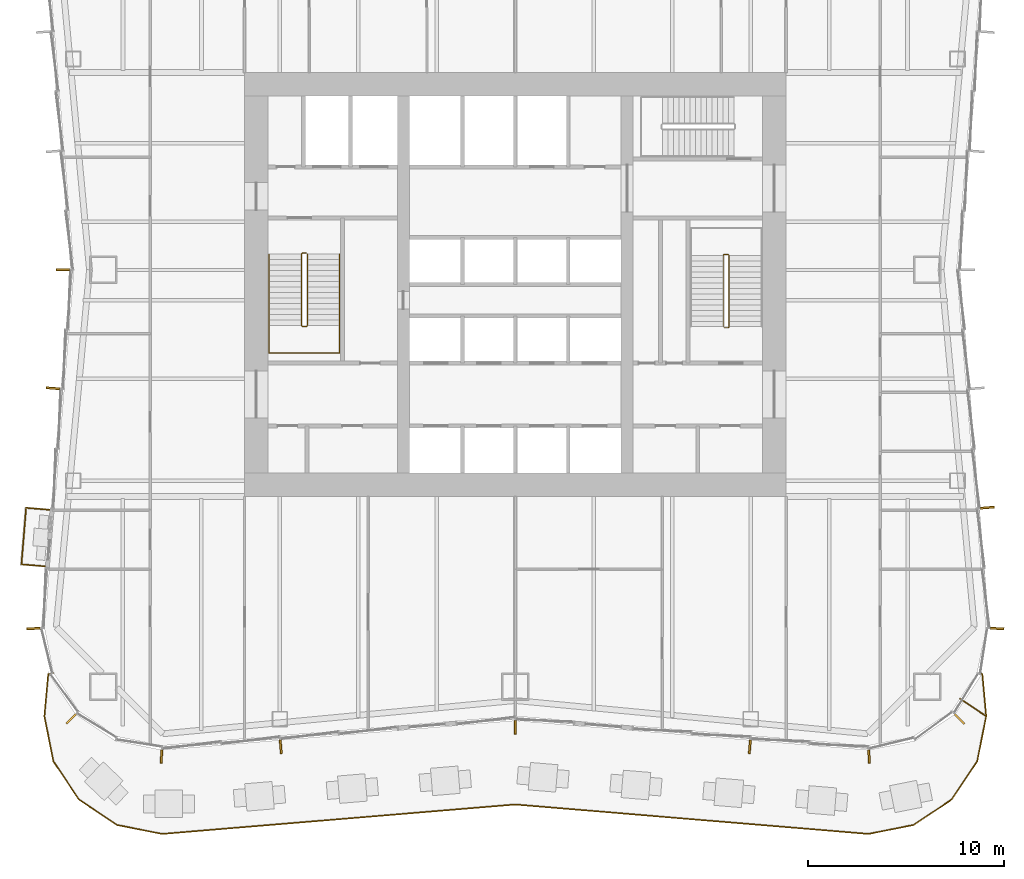
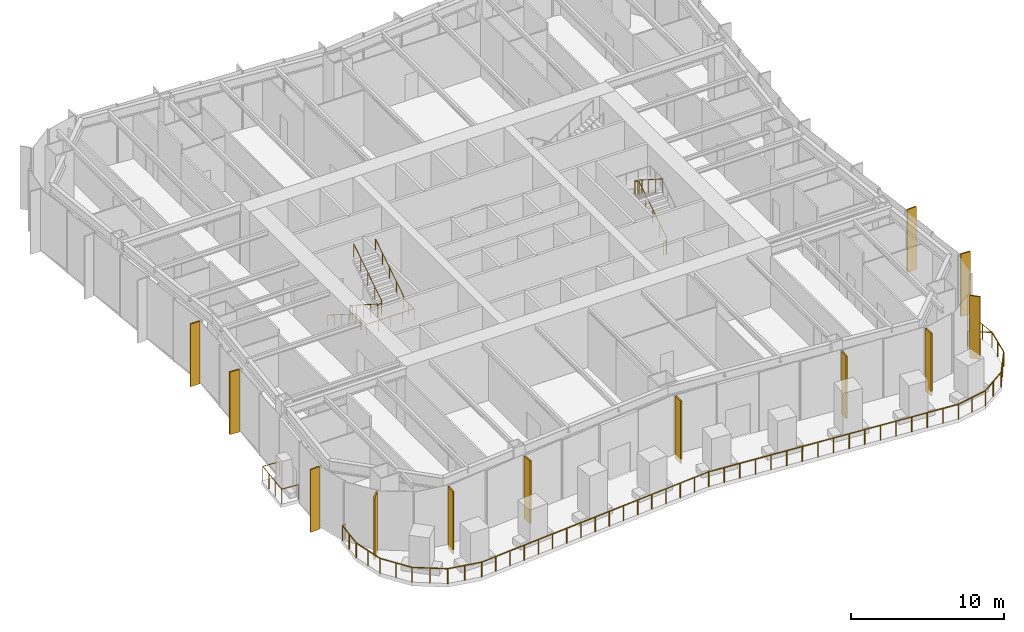
# One storey, part 13 of 15: 12 shading devices, 6 railings.
"""IFC4 building model written with IfcOpenShell, lengths in metres."""

from ifc_helpers import new_model, si_unit, direction, frame, origin, origin_2d, place, context, subcontext, project, spatial, rectangle, circle, extrude, material, layer, layer_set, type_object, element, save


model = new_model("IFC4")

# Units and contexts
model_context = context("Model", 3, precision=1e-05, world=origin(), true_north=direction((0.0, 1.0)))
body_context = subcontext(model_context, "Body", "Model", "MODEL_VIEW")
ifc_project = project(units=[si_unit("LENGTHUNIT", "METRE"), si_unit("AREAUNIT", "SQUARE_METRE"), si_unit("VOLUMEUNIT", "CUBIC_METRE"), si_unit("PLANEANGLEUNIT", "RADIAN"), si_unit("MASSUNIT", "GRAM", prefix="KILO")], contexts=[model_context])

# Site, building, storey
site_placement = place(None, origin())
site = spatial("IfcSite", under=ifc_project, at=site_placement, CompositionType="ELEMENT")
building_placement = place(site_placement, origin())
building = spatial("IfcBuilding", under=site, at=building_placement, Name="Verdant Reach Tower", CompositionType="ELEMENT")
storey_placement = place(building_placement, frame((0.0, 0.0, 65.0)))
storey = spatial("IfcBuildingStorey", under=building, at=storey_placement, Name="L14", CompositionType="ELEMENT", Elevation=65.0)

# Railings
ifc_material_1 = material(Name="Stainless steel", Category="steel")
railing_type_1 = type_object("IfcRailingType", Name="CO-GUARD", PredefinedType="GUARDRAIL", material=ifc_material_1)
railing_1_placement = place(storey_placement, frame((-10.64990234375, 29.60009765625, 0.0)))
element("IfcRailing", 1, at=railing_1_placement, inside=storey, type_object=railing_type_1, Name="L14 ST-1 stair guard 1", PredefinedType="GUARDRAIL", context=body_context, shape_type="SweptSolid", body=[
    extrude(circle(Radius=0.02392578125, at=origin_2d()), frame((0.0, 0.0, 1.076171875), z_axis=(-1.0, 0.0, 0.0), x_axis=(0.0, -1.0, 0.0)), (0.0, 0.0, 1.0), 0.2001953125),
    extrude(circle(Radius=0.02392578125, at=origin_2d()), frame((-0.2001953125, 0.0, 1.076171875), z_axis=(-0.25949872427, -0.26077077684, 0.929870428634), x_axis=(0.708833529934, -0.705375805398, 0.0)), (0.0, 0.0, 1.0), 0.19189453125),
    extrude(circle(Radius=0.02392578125, at=origin_2d()), frame((-0.25, -0.050048828125, 1.25439453125), z_axis=(0.0, -0.843127859045, 0.537713132908), x_axis=(1.0, 0.0, 0.0)), (0.0, 0.0, 1.0), 4.3173828125),
    extrude(circle(Radius=0.02392578125, at=origin_2d()), frame((-0.25, -3.690185546875, 3.576171875), z_axis=(0.707106781187, -0.707106781187, 0.0), x_axis=(0.707106781187, 0.707106781187, 0.0)), (0.0, 0.0, 1.0), 0.0703125),
    extrude(circle(Radius=0.02392578125, at=origin_2d()), frame((-0.2001953125, -3.739990234375, 3.576171875), z_axis=(1.0, 0.0, 0.0), x_axis=(0.0, 1.0, 0.0)), (0.0, 0.0, 1.0), 0.2001953125),
    extrude(circle(Radius=0.02392578125, at=origin_2d()), frame((0.0, -3.739990234375, 3.576171875), z_axis=(0.259584636361, 0.259584636361, 0.930178280294), x_axis=(-0.707106781187, 0.707106781187, 0.0)), (0.0, 0.0, 1.0), 0.19189453125),
    extrude(circle(Radius=0.02392578125, at=origin_2d()), frame((0.0498046875, -3.690185546875, 3.75439453125), z_axis=(0.0, 0.843127859045, 0.537713132908), x_axis=(-1.0, 0.0, 0.0)), (0.0, 0.0, 1.0), 4.3173828125),
    extrude(circle(Radius=0.02099609375, at=origin_2d()), origin(), (0.0, 0.0, 1.0), 1.052001953125),
    extrude(circle(Radius=0.02099609375, at=origin_2d()), frame((-0.2001953125, 0.0, 0.0)), (0.0, 0.0, 1.0), 1.052001953125),
    extrude(circle(Radius=0.02099609375, at=origin_2d()), frame((-0.25, -0.050048828125, 0.178466796875)), (0.0, 0.0, 1.0), 1.052001953125),
    extrude(circle(Radius=0.02099609375, at=origin_2d()), frame((-0.25, -0.9599609375, 0.7587890625)), (0.0, 0.0, 1.0), 1.052001953125),
    extrude(circle(Radius=0.02099609375, at=origin_2d()), frame((-0.25, -1.8701171875, 1.33935546875)), (0.0, 0.0, 1.0), 1.052001953125),
    extrude(circle(Radius=0.02099609375, at=origin_2d()), frame((-0.25, -2.7802734375, 1.919677734375)), (0.0, 0.0, 1.0), 1.052001953125),
    extrude(circle(Radius=0.02099609375, at=origin_2d()), frame((-0.25, -3.690185546875, 2.5)), (0.0, 0.0, 1.0), 1.052001953125),
    extrude(circle(Radius=0.02099609375, at=origin_2d()), frame((-0.2001953125, -3.739990234375, 2.5)), (0.0, 0.0, 1.0), 1.052001953125),
    extrude(circle(Radius=0.02099609375, at=origin_2d()), frame((0.0, -3.739990234375, 2.5)), (0.0, 0.0, 1.0), 1.052001953125),
    extrude(circle(Radius=0.02099609375, at=origin_2d()), frame((0.0498046875, -3.690185546875, 2.678466796875)), (0.0, 0.0, 1.0), 1.052001953125),
    extrude(circle(Radius=0.02099609375, at=origin_2d()), frame((0.0498046875, -2.7802734375, 3.2587890625)), (0.0, 0.0, 1.0), 1.052001953125),
    extrude(circle(Radius=0.02099609375, at=origin_2d()), frame((0.0498046875, -1.8701171875, 3.83935546875)), (0.0, 0.0, 1.0), 1.052001953125),
    extrude(circle(Radius=0.02099609375, at=origin_2d()), frame((0.0498046875, -0.9599609375, 4.419677734375)), (0.0, 0.0, 1.0), 1.052001953125),
    extrude(circle(Radius=0.02099609375, at=origin_2d()), frame((0.0498046875, -0.050048828125, 5.0)), (0.0, 0.0, 1.0), 1.052001953125),
])
railing_2_placement = place(storey_placement, frame((10.64990234375, 25.800048828125, 0.0)))
element("IfcRailing", 2, at=railing_2_placement, inside=storey, type_object=railing_type_1, Name="L14 ST-2 stair guard 1", PredefinedType="GUARDRAIL", context=body_context, shape_type="SweptSolid", body=[
    extrude(circle(Radius=0.02392578125, at=origin_2d()), frame((0.0, 0.0, 1.076171875), z_axis=(1.0, 0.0, 0.0), x_axis=(0.0, 1.0, 0.0)), (0.0, 0.0, 1.0), 0.2001953125),
    extrude(circle(Radius=0.02392578125, at=origin_2d()), frame((0.2001953125, 0.0, 1.076171875), z_axis=(0.25949872427, 0.26077077684, 0.929870428634), x_axis=(-0.708833529934, 0.705375805398, 0.0)), (0.0, 0.0, 1.0), 0.19189453125),
    extrude(circle(Radius=0.02392578125, at=origin_2d()), frame((0.25, 0.050048828125, 1.25439453125), z_axis=(0.0, 0.843111507901, 0.53773877045), x_axis=(-1.0, 0.0, 0.0)), (0.0, 0.0, 1.0), 4.317138671875),
    extrude(circle(Radius=0.02392578125, at=origin_2d()), frame((0.25, 3.68994140625, 3.576171875), z_axis=(-0.705375805398, 0.708833529934, 0.0), x_axis=(-0.708833529934, -0.705375805398, 0.0)), (0.0, 0.0, 1.0), 0.070556640625),
    extrude(circle(Radius=0.02392578125, at=origin_2d()), frame((0.2001953125, 3.739990234375, 3.576171875), z_axis=(-1.0, 0.0, 0.0), x_axis=(0.0, -1.0, 0.0)), (0.0, 0.0, 1.0), 0.2001953125),
    extrude(circle(Radius=0.02392578125, at=origin_2d()), frame((0.0, 3.739990234375, 3.576171875), z_axis=(-0.25949872427, -0.26077077684, 0.929870428634), x_axis=(0.708833529934, -0.705375805398, 0.0)), (0.0, 0.0, 1.0), 0.19189453125),
    extrude(circle(Radius=0.02392578125, at=origin_2d()), frame((-0.0498046875, 3.68994140625, 3.75439453125), z_axis=(0.0, -0.843111507901, 0.53773877045), x_axis=(1.0, 0.0, 0.0)), (0.0, 0.0, 1.0), 4.317138671875),
    extrude(circle(Radius=0.02099609375, at=origin_2d()), origin(), (0.0, 0.0, 1.0), 1.052001953125),
    extrude(circle(Radius=0.02099609375, at=origin_2d()), frame((0.2001953125, 0.0, 0.0)), (0.0, 0.0, 1.0), 1.052001953125),
    extrude(circle(Radius=0.02099609375, at=origin_2d()), frame((0.25, 0.050048828125, 0.178466796875)), (0.0, 0.0, 1.0), 1.052001953125),
    extrude(circle(Radius=0.02099609375, at=origin_2d()), frame((0.25, 0.9599609375, 0.7587890625)), (0.0, 0.0, 1.0), 1.052001953125),
    extrude(circle(Radius=0.02099609375, at=origin_2d()), frame((0.25, 1.8701171875, 1.33935546875)), (0.0, 0.0, 1.0), 1.052001953125),
    extrude(circle(Radius=0.02099609375, at=origin_2d()), frame((0.25, 2.780029296875, 1.919677734375)), (0.0, 0.0, 1.0), 1.052001953125),
    extrude(circle(Radius=0.02099609375, at=origin_2d()), frame((0.25, 3.68994140625, 2.5)), (0.0, 0.0, 1.0), 1.052001953125),
    extrude(circle(Radius=0.02099609375, at=origin_2d()), frame((0.2001953125, 3.739990234375, 2.5)), (0.0, 0.0, 1.0), 1.052001953125),
    extrude(circle(Radius=0.02099609375, at=origin_2d()), frame((0.0, 3.739990234375, 2.5)), (0.0, 0.0, 1.0), 1.052001953125),
    extrude(circle(Radius=0.02099609375, at=origin_2d()), frame((-0.0498046875, 3.68994140625, 2.678466796875)), (0.0, 0.0, 1.0), 1.052001953125),
    extrude(circle(Radius=0.02099609375, at=origin_2d()), frame((-0.0498046875, 2.780029296875, 3.2587890625)), (0.0, 0.0, 1.0), 1.052001953125),
    extrude(circle(Radius=0.02099609375, at=origin_2d()), frame((-0.0498046875, 1.8701171875, 3.83935546875)), (0.0, 0.0, 1.0), 1.052001953125),
    extrude(circle(Radius=0.02099609375, at=origin_2d()), frame((-0.0498046875, 0.9599609375, 4.419677734375)), (0.0, 0.0, 1.0), 1.052001953125),
    extrude(circle(Radius=0.02099609375, at=origin_2d()), frame((-0.0498046875, 0.050048828125, 5.0)), (0.0, 0.0, 1.0), 1.052001953125),
])
railing_type_2 = type_object("IfcRailingType", Name="CO-HANDRAIL", PredefinedType="HANDRAIL", material=ifc_material_1)
railing_3_placement = place(storey_placement, frame((-12.550048828125, 29.550048828125, 0.178466796875)))
element("IfcRailing", 3, at=railing_3_placement, inside=storey, type_object=railing_type_2, Name="L14 ST-1 stair handrail 1", PredefinedType="HANDRAIL", context=body_context, shape_type="SweptSolid", body=[
    extrude(circle(Radius=0.02392578125, at=origin_2d()), frame((0.0, 0.0, 0.8759765625), z_axis=(0.0, -0.843127859045, 0.537713132908), x_axis=(1.0, 0.0, 0.0)), (0.0, 0.0, 1.0), 4.3173828125),
    extrude(circle(Radius=0.02392578125, at=origin_2d()), frame((0.0, -3.64013671875, 3.197265625), z_axis=(0.0, -1.0, 0.0), x_axis=(1.0, 0.0, 0.0)), (0.0, 0.0, 1.0), 1.39990234375),
    extrude(circle(Radius=0.02392578125, at=origin_2d()), frame((0.0, -5.0400390625, 3.197265625), z_axis=(1.0, 0.0, 0.0), x_axis=(0.0, 1.0, 0.0)), (0.0, 0.0, 1.0), 3.60009765625),
    extrude(circle(Radius=0.02392578125, at=origin_2d()), frame((3.60009765625, -5.0400390625, 3.197265625), z_axis=(0.0, 1.0, 0.0), x_axis=(-1.0, 0.0, 0.0)), (0.0, 0.0, 1.0), 1.39990234375),
    extrude(circle(Radius=0.02392578125, at=origin_2d()), frame((3.60009765625, -3.64013671875, 3.197265625), z_axis=(0.0, 0.0, 1.0), x_axis=(1.0, 0.0, 0.0)), (0.0, 0.0, 1.0), 0.178466796875),
    extrude(circle(Radius=0.02392578125, at=origin_2d()), frame((3.60009765625, -3.64013671875, 3.3759765625), z_axis=(0.0, 0.843127859045, 0.537713132908), x_axis=(-1.0, 0.0, 0.0)), (0.0, 0.0, 1.0), 4.3173828125),
    extrude(circle(Radius=0.02099609375, at=origin_2d()), origin(), (0.0, 0.0, 1.0), 0.851806640625),
    extrude(circle(Radius=0.02099609375, at=origin_2d()), frame((0.0, -0.91015625, 0.580322265625)), (0.0, 0.0, 1.0), 0.851806640625),
    extrude(circle(Radius=0.02099609375, at=origin_2d()), frame((0.0, -1.820068359375, 1.16064453125)), (0.0, 0.0, 1.0), 0.851806640625),
    extrude(circle(Radius=0.02099609375, at=origin_2d()), frame((0.0, -2.72998046875, 1.7412109375)), (0.0, 0.0, 1.0), 0.851806640625),
    extrude(circle(Radius=0.02099609375, at=origin_2d()), frame((0.0, -3.64013671875, 2.321533203125)), (0.0, 0.0, 1.0), 0.851806640625),
    extrude(circle(Radius=0.02099609375, at=origin_2d()), frame((0.0, -4.340087890625, 2.321533203125)), (0.0, 0.0, 1.0), 0.851806640625),
    extrude(circle(Radius=0.02099609375, at=origin_2d()), frame((0.0, -5.0400390625, 2.321533203125)), (0.0, 0.0, 1.0), 0.851806640625),
    extrude(circle(Radius=0.02099609375, at=origin_2d()), frame((0.89990234375, -5.0400390625, 2.321533203125)), (0.0, 0.0, 1.0), 0.851806640625),
    extrude(circle(Radius=0.02099609375, at=origin_2d()), frame((1.800048828125, -5.0400390625, 2.321533203125)), (0.0, 0.0, 1.0), 0.851806640625),
    extrude(circle(Radius=0.02099609375, at=origin_2d()), frame((2.7001953125, -5.0400390625, 2.321533203125)), (0.0, 0.0, 1.0), 0.851806640625),
    extrude(circle(Radius=0.02099609375, at=origin_2d()), frame((3.60009765625, -5.0400390625, 2.321533203125)), (0.0, 0.0, 1.0), 0.851806640625),
    extrude(circle(Radius=0.02099609375, at=origin_2d()), frame((3.60009765625, -4.340087890625, 2.321533203125)), (0.0, 0.0, 1.0), 0.851806640625),
    extrude(circle(Radius=0.02099609375, at=origin_2d()), frame((3.60009765625, -3.64013671875, 2.321533203125)), (0.0, 0.0, 1.0), 0.851806640625),
    extrude(circle(Radius=0.02099609375, at=origin_2d()), frame((3.60009765625, -3.64013671875, 2.5)), (0.0, 0.0, 1.0), 0.851806640625),
    extrude(circle(Radius=0.02099609375, at=origin_2d()), frame((3.60009765625, -2.72998046875, 3.080322265625)), (0.0, 0.0, 1.0), 0.851806640625),
    extrude(circle(Radius=0.02099609375, at=origin_2d()), frame((3.60009765625, -1.820068359375, 3.66064453125)), (0.0, 0.0, 1.0), 0.851806640625),
    extrude(circle(Radius=0.02099609375, at=origin_2d()), frame((3.60009765625, -0.91015625, 4.2412109375)), (0.0, 0.0, 1.0), 0.851806640625),
    extrude(circle(Radius=0.02099609375, at=origin_2d()), frame((3.60009765625, 0.0, 4.821533203125)), (0.0, 0.0, 1.0), 0.851806640625),
])

# Shading devices
ifc_material_2 = material(Name="Bronze fin, champagne", Category="aluminium")
ifc_layer_1 = layer(ifc_material_2, 0.10009765625)
ifc_layer_set_1 = layer_set([ifc_layer_1], Name="EN-FIN CHAMPAGNE")
shading_device_type_1 = type_object("IfcShadingDeviceType", Name="EN-FIN CHAMPAGNE", PredefinedType="USERDEFINED", material=ifc_layer_set_1)
for number, where, z_axis, x_axis, name in (
    (4, (18.031494140625, 3.94482421875, -0.35009765625), (0.0, 0.0, 1.0), (0.998398681387, 0.056569187765, 0.0), "Fin south-east corner 1, L14"),
    (5, (-22.6357421875, 5.8642578125, -0.35009765625), (0.0, 0.0, 1.0), (0.707106781187, -0.707106781187, 0.0), "Fin south-west corner 3, L14"),
    (6, (-18.031494140625, 3.94482421875, -0.35009765625), (0.0, 0.0, 1.0), (0.998398681387, -0.056569187765, 0.0), "Fin south face part 1 1, L14"),
):
    element("IfcShadingDevice", number, at=place(storey_placement, frame(where, z_axis=z_axis, x_axis=x_axis)), inside=storey, type_object=shading_device_type_1, Name=name, ObjectType="FIN", PredefinedType="USERDEFINED", context=body_context, shape_type="SweptSolid", body=[
        extrude(rectangle(XDim=0.10009765625, YDim=0.699951171875, at=origin_2d()), origin(), (0.0, 0.0, 1.0), 5.0),
    ])
ifc_material_3 = material(Name="Bronze fin, copper", Category="aluminium")
ifc_layer_2 = layer(ifc_material_3, 0.10009765625)
ifc_layer_set_2 = layer_set([ifc_layer_2], Name="EN-FIN COPPER")
shading_device_type_2 = type_object("IfcShadingDeviceType", Name="EN-FIN COPPER", PredefinedType="USERDEFINED", material=ifc_layer_set_2)
for number, where, z_axis, x_axis, name in (
    (7, (22.6357421875, 5.8642578125, -0.35009765625), (0.0, 0.0, 1.0), (0.707106781187, 0.707106781187, 0.0), "Fin south-east corner 3, L14"),
    (8, (24.55517578125, 10.46826171875, -0.35009765625), (0.0, 0.0, 1.0), (0.057135164055, 0.998366452275, 0.0), "Fin east face part 1 1, L14"),
    (9, (24.05419921875, 16.62890625, -0.35009765625), (0.0, 0.0, 1.0), (-0.081915556724, 0.996639273542, 0.0), "Fin east face part 1 3, L14"),
    (10, (-23.055908203125, 28.75, -0.35009765625), (0.0, 0.0, 1.0), (0.0, -1.0, 0.0), "Fin west face part 2 1, L14"),
    (11, (-11.953857421875, 4.44580078125, -0.35009765625), (0.0, 0.0, 1.0), (0.996545758244, 0.083045479859, 0.0), "Fin south face part 1 3, L14"),
    (12, (11.953857421875, 4.44580078125, -0.35009765625), (0.0, 0.0, 1.0), (0.996545758244, -0.083045479859, 0.0), "Fin south face part 2 5, L14"),
):
    element("IfcShadingDevice", number, at=place(storey_placement, frame(where, z_axis=z_axis, x_axis=x_axis)), inside=storey, type_object=shading_device_type_2, Name=name, ObjectType="FIN", PredefinedType="USERDEFINED", context=body_context, shape_type="SweptSolid", body=[
        extrude(rectangle(XDim=0.10009765625, YDim=0.699951171875, at=origin_2d()), origin(), (0.0, 0.0, 1.0), 5.0),
    ])
ifc_material_4 = material(Name="Bronze fin, dark bronze", Category="aluminium")
ifc_layer_3 = layer(ifc_material_4, 0.10009765625)
ifc_layer_set_3 = layer_set([ifc_layer_3], Name="EN-FIN DARK")
shading_device_type_3 = type_object("IfcShadingDeviceType", Name="EN-FIN DARK", PredefinedType="USERDEFINED", material=ifc_layer_set_3)
for number, where, z_axis, x_axis, name in (
    (13, (-23.55419921875, 22.712158203125, -0.35009765625), (0.0, 0.0, 1.0), (-0.081915556724, -0.996639273542, 0.0), "Fin west face part 2 3, L14"),
    (14, (-24.55517578125, 10.46826171875, -0.35009765625), (0.0, 0.0, 1.0), (0.057135164055, -0.998366452275, 0.0), "Fin south-west corner 1, L14"),
    (15, (0.0, 5.444091796875, -0.35009765625), (0.0, 0.0, 1.0), (1.0, 0.0, 0.0), "Fin south face part 2 1, L14"),
):
    element("IfcShadingDevice", number, at=place(storey_placement, frame(where, z_axis=z_axis, x_axis=x_axis)), inside=storey, type_object=shading_device_type_3, Name=name, ObjectType="FIN", PredefinedType="USERDEFINED", context=body_context, shape_type="SweptSolid", body=[
        extrude(rectangle(XDim=0.10009765625, YDim=0.699951171875, at=origin_2d()), origin(), (0.0, 0.0, 1.0), 5.0),
    ])

# Railings
ifc_material_5 = material(Name="Stainless steel and laminated glass balustrade", Category="steel")
railing_type_3 = type_object("IfcRailingType", Name="EN-RAILING BALCONY", PredefinedType="GUARDRAIL", material=ifc_material_5)
railing_4_placement = place(storey_placement, frame((-23.741943359375, 16.52197265625, 0.0)))
element("IfcRailing", 16, at=railing_4_placement, inside=storey, type_object=railing_type_3, Name="Balcony guard 1, L14", PredefinedType="GUARDRAIL", context=body_context, shape_type="SweptSolid", body=[
    extrude(circle(Radius=0.02490234375, at=origin_2d()), frame((0.0, 0.0, 1.1748046875), z_axis=(-0.996649328179, 0.081793133211, 0.0), x_axis=(-0.081793133211, -0.996649328179, 0.0)), (0.0, 0.0, 1.0), 1.19384765625),
    extrude(circle(Radius=0.02490234375, at=origin_2d()), frame((-1.18994140625, 0.09765625, 1.1748046875), z_axis=(-0.081863827639, -0.996643523896, 0.0), x_axis=(0.996643523896, -0.081863827639, 0.0)), (0.0, 0.0, 1.0), 2.889892578125),
    extrude(circle(Radius=0.02490234375, at=origin_2d()), frame((-1.426513671875, -2.782470703125, 1.1748046875), z_axis=(0.996649328179, -0.081793133211, 0.0), x_axis=(0.081793133211, 0.996649328179, 0.0)), (0.0, 0.0, 1.0), 1.19384765625),
    extrude(circle(Radius=0.02490234375, at=origin_2d()), origin(), (0.0, 0.0, 1.0), 1.14990234375),
    extrude(circle(Radius=0.02490234375, at=origin_2d()), frame((-1.18994140625, 0.09765625, 0.0)), (0.0, 0.0, 1.0), 1.14990234375),
    extrude(circle(Radius=0.02490234375, at=origin_2d()), frame((-1.268798828125, -0.8623046875, 0.0)), (0.0, 0.0, 1.0), 1.14990234375),
    extrude(circle(Radius=0.02490234375, at=origin_2d()), frame((-1.34765625, -1.822509765625, 0.0)), (0.0, 0.0, 1.0), 1.14990234375),
    extrude(circle(Radius=0.02490234375, at=origin_2d()), frame((-1.426513671875, -2.782470703125, 0.0)), (0.0, 0.0, 1.0), 1.14990234375),
    extrude(circle(Radius=0.02490234375, at=origin_2d()), frame((-0.236572265625, -2.880126953125, 0.0)), (0.0, 0.0, 1.0), 1.14990234375),
])
railing_type_4 = type_object("IfcRailingType", Name="EN-RAILING TERRACE", PredefinedType="GUARDRAIL", material=ifc_material_5)
railing_5_placement = place(storey_placement, frame((22.666259765625, 6.891357421875, 0.0)))
element("IfcRailing", 17, at=railing_5_placement, inside=storey, type_object=railing_type_4, Name="Terrace guard 1, L14", PredefinedType="GUARDRAIL", context=body_context, shape_type="SweptSolid", body=[
    extrude(circle(Radius=0.02490234375, at=origin_2d()), frame((0.0, 0.0, 1.1748046875), z_axis=(0.831417577393, -0.555648100872, 0.0), x_axis=(0.555648100872, 0.831417577393, 0.0)), (0.0, 0.0, 1.0), 1.604248046875),
    extrude(circle(Radius=0.02490234375, at=origin_2d()), frame((1.333740234375, -0.891357421875, 1.1748046875), z_axis=(-0.195113312377, -0.980780707056, 0.0), x_axis=(0.980780707056, -0.195113312377, 0.0)), (0.0, 0.0, 1.0), 2.341064453125),
    extrude(circle(Radius=0.02490234375, at=origin_2d()), frame((0.876953125, -3.1875, 1.1748046875), z_axis=(-0.55554223823, -0.831488317141, 0.0), x_axis=(0.831488317141, -0.55554223823, 0.0)), (0.0, 0.0, 1.0), 2.341064453125),
    extrude(circle(Radius=0.02490234375, at=origin_2d()), frame((-0.423583984375, -5.134033203125, 1.1748046875), z_axis=(-0.831488317141, -0.55554223823, 0.0), x_axis=(0.55554223823, -0.831488317141, 0.0)), (0.0, 0.0, 1.0), 2.341064453125),
    extrude(circle(Radius=0.02490234375, at=origin_2d()), frame((-2.3701171875, -6.4345703125, 1.1748046875), z_axis=(-0.980780707056, -0.195113312377, 0.0), x_axis=(0.195113312377, -0.980780707056, 0.0)), (0.0, 0.0, 1.0), 2.341064453125),
    extrude(circle(Radius=0.02490234375, at=origin_2d()), frame((-4.666259765625, -6.891357421875, 1.1748046875), z_axis=(-0.996545758245, 0.083045479854, 0.0), x_axis=(-0.083045479854, -0.996545758245, 0.0)), (0.0, 0.0, 1.0), 18.0625),
    extrude(circle(Radius=0.02490234375, at=origin_2d()), frame((-22.666259765625, -5.391357421875, 1.1748046875), z_axis=(-0.996545758245, -0.083045479854, 0.0), x_axis=(0.083045479854, -0.996545758245, 0.0)), (0.0, 0.0, 1.0), 18.0625),
    extrude(circle(Radius=0.02490234375, at=origin_2d()), frame((-40.666259765625, -6.891357421875, 1.1748046875), z_axis=(-0.980780707056, 0.195113312377, 0.0), x_axis=(-0.195113312377, -0.980780707056, 0.0)), (0.0, 0.0, 1.0), 2.341064453125),
    extrude(circle(Radius=0.02490234375, at=origin_2d()), frame((-42.96240234375, -6.4345703125, 1.1748046875), z_axis=(-0.831488317141, 0.55554223823, 0.0), x_axis=(-0.55554223823, -0.831488317141, 0.0)), (0.0, 0.0, 1.0), 2.341064453125),
    extrude(circle(Radius=0.02490234375, at=origin_2d()), frame((-44.908935546875, -5.134033203125, 1.1748046875), z_axis=(-0.55554223823, 0.831488317141, 0.0), x_axis=(-0.831488317141, -0.55554223823, 0.0)), (0.0, 0.0, 1.0), 2.341064453125),
    extrude(circle(Radius=0.02490234375, at=origin_2d()), frame((-46.20947265625, -3.1875, 1.1748046875), z_axis=(-0.195113312377, 0.980780707056, 0.0), x_axis=(-0.980780707056, -0.195113312377, 0.0)), (0.0, 0.0, 1.0), 2.341064453125),
    extrude(circle(Radius=0.02490234375, at=origin_2d()), frame((-46.666259765625, -0.891357421875, 1.1748046875), z_axis=(0.090586666437, 0.995888576028, 0.0), x_axis=(-0.995888576028, 0.090586666437, 0.0)), (0.0, 0.0, 1.0), 2.161376953125),
    extrude(circle(Radius=0.02490234375, at=origin_2d()), frame((-46.470458984375, 1.26123046875, 1.1748046875), z_axis=(0.980686484026, 0.195586349342, 0.0), x_axis=(-0.195586349342, 0.980686484026, 0.0)), (0.0, 0.0, 1.0), 0.265869140625),
    extrude(circle(Radius=0.02490234375, at=origin_2d()), origin(), (0.0, 0.0, 1.0), 1.14990234375),
    extrude(circle(Radius=0.02490234375, at=origin_2d()), frame((0.6669921875, -0.44580078125, 0.0)), (0.0, 0.0, 1.0), 1.14990234375),
    extrude(circle(Radius=0.02490234375, at=origin_2d()), frame((1.333740234375, -0.891357421875, 0.0)), (0.0, 0.0, 1.0), 1.14990234375),
    extrude(circle(Radius=0.02490234375, at=origin_2d()), frame((1.10546875, -2.03955078125, 0.0)), (0.0, 0.0, 1.0), 1.14990234375),
    extrude(circle(Radius=0.02490234375, at=origin_2d()), frame((0.876953125, -3.1875, 0.0)), (0.0, 0.0, 1.0), 1.14990234375),
    extrude(circle(Radius=0.02490234375, at=origin_2d()), frame((0.2265625, -4.16064453125, 0.0)), (0.0, 0.0, 1.0), 1.14990234375),
    extrude(circle(Radius=0.02490234375, at=origin_2d()), frame((-0.423583984375, -5.134033203125, 0.0)), (0.0, 0.0, 1.0), 1.14990234375),
    extrude(circle(Radius=0.02490234375, at=origin_2d()), frame((-1.39697265625, -5.7841796875, 0.0)), (0.0, 0.0, 1.0), 1.14990234375),
    extrude(circle(Radius=0.02490234375, at=origin_2d()), frame((-2.3701171875, -6.4345703125, 0.0)), (0.0, 0.0, 1.0), 1.14990234375),
    extrude(circle(Radius=0.02490234375, at=origin_2d()), frame((-3.51806640625, -6.6630859375, 0.0)), (0.0, 0.0, 1.0), 1.14990234375),
    extrude(circle(Radius=0.02490234375, at=origin_2d()), frame((-4.666259765625, -6.891357421875, 0.0)), (0.0, 0.0, 1.0), 1.14990234375),
    extrude(circle(Radius=0.02490234375, at=origin_2d()), frame((-5.791259765625, -6.797607421875, 0.0)), (0.0, 0.0, 1.0), 1.14990234375),
    extrude(circle(Radius=0.02490234375, at=origin_2d()), frame((-6.916259765625, -6.703857421875, 0.0)), (0.0, 0.0, 1.0), 1.14990234375),
    extrude(circle(Radius=0.02490234375, at=origin_2d()), frame((-8.041259765625, -6.610107421875, 0.0)), (0.0, 0.0, 1.0), 1.14990234375),
    extrude(circle(Radius=0.02490234375, at=origin_2d()), frame((-9.166259765625, -6.516357421875, 0.0)), (0.0, 0.0, 1.0), 1.14990234375),
    extrude(circle(Radius=0.02490234375, at=origin_2d()), frame((-10.291259765625, -6.422607421875, 0.0)), (0.0, 0.0, 1.0), 1.14990234375),
    extrude(circle(Radius=0.02490234375, at=origin_2d()), frame((-11.416259765625, -6.328857421875, 0.0)), (0.0, 0.0, 1.0), 1.14990234375),
    extrude(circle(Radius=0.02490234375, at=origin_2d()), frame((-12.541259765625, -6.235107421875, 0.0)), (0.0, 0.0, 1.0), 1.14990234375),
    extrude(circle(Radius=0.02490234375, at=origin_2d()), frame((-13.666259765625, -6.141357421875, 0.0)), (0.0, 0.0, 1.0), 1.14990234375),
    extrude(circle(Radius=0.02490234375, at=origin_2d()), frame((-14.791259765625, -6.047607421875, 0.0)), (0.0, 0.0, 1.0), 1.14990234375),
    extrude(circle(Radius=0.02490234375, at=origin_2d()), frame((-15.916259765625, -5.953857421875, 0.0)), (0.0, 0.0, 1.0), 1.14990234375),
    extrude(circle(Radius=0.02490234375, at=origin_2d()), frame((-17.041259765625, -5.860107421875, 0.0)), (0.0, 0.0, 1.0), 1.14990234375),
    extrude(circle(Radius=0.02490234375, at=origin_2d()), frame((-18.166259765625, -5.766357421875, 0.0)), (0.0, 0.0, 1.0), 1.14990234375),
    extrude(circle(Radius=0.02490234375, at=origin_2d()), frame((-19.291259765625, -5.672607421875, 0.0)), (0.0, 0.0, 1.0), 1.14990234375),
    extrude(circle(Radius=0.02490234375, at=origin_2d()), frame((-20.416259765625, -5.578857421875, 0.0)), (0.0, 0.0, 1.0), 1.14990234375),
    extrude(circle(Radius=0.02490234375, at=origin_2d()), frame((-21.541259765625, -5.485107421875, 0.0)), (0.0, 0.0, 1.0), 1.14990234375),
    extrude(circle(Radius=0.02490234375, at=origin_2d()), frame((-22.666259765625, -5.391357421875, 0.0)), (0.0, 0.0, 1.0), 1.14990234375),
    extrude(circle(Radius=0.02490234375, at=origin_2d()), frame((-23.791259765625, -5.485107421875, 0.0)), (0.0, 0.0, 1.0), 1.14990234375),
    extrude(circle(Radius=0.02490234375, at=origin_2d()), frame((-24.916259765625, -5.578857421875, 0.0)), (0.0, 0.0, 1.0), 1.14990234375),
    extrude(circle(Radius=0.02490234375, at=origin_2d()), frame((-26.041259765625, -5.672607421875, 0.0)), (0.0, 0.0, 1.0), 1.14990234375),
    extrude(circle(Radius=0.02490234375, at=origin_2d()), frame((-27.166259765625, -5.766357421875, 0.0)), (0.0, 0.0, 1.0), 1.14990234375),
    extrude(circle(Radius=0.02490234375, at=origin_2d()), frame((-28.291259765625, -5.860107421875, 0.0)), (0.0, 0.0, 1.0), 1.14990234375),
    extrude(circle(Radius=0.02490234375, at=origin_2d()), frame((-29.416259765625, -5.953857421875, 0.0)), (0.0, 0.0, 1.0), 1.14990234375),
    extrude(circle(Radius=0.02490234375, at=origin_2d()), frame((-30.541259765625, -6.047607421875, 0.0)), (0.0, 0.0, 1.0), 1.14990234375),
    extrude(circle(Radius=0.02490234375, at=origin_2d()), frame((-31.666259765625, -6.141357421875, 0.0)), (0.0, 0.0, 1.0), 1.14990234375),
    extrude(circle(Radius=0.02490234375, at=origin_2d()), frame((-32.791259765625, -6.235107421875, 0.0)), (0.0, 0.0, 1.0), 1.14990234375),
    extrude(circle(Radius=0.02490234375, at=origin_2d()), frame((-33.916259765625, -6.328857421875, 0.0)), (0.0, 0.0, 1.0), 1.14990234375),
    extrude(circle(Radius=0.02490234375, at=origin_2d()), frame((-35.041259765625, -6.422607421875, 0.0)), (0.0, 0.0, 1.0), 1.14990234375),
    extrude(circle(Radius=0.02490234375, at=origin_2d()), frame((-36.166259765625, -6.516357421875, 0.0)), (0.0, 0.0, 1.0), 1.14990234375),
    extrude(circle(Radius=0.02490234375, at=origin_2d()), frame((-37.291259765625, -6.610107421875, 0.0)), (0.0, 0.0, 1.0), 1.14990234375),
    extrude(circle(Radius=0.02490234375, at=origin_2d()), frame((-38.416259765625, -6.703857421875, 0.0)), (0.0, 0.0, 1.0), 1.14990234375),
    extrude(circle(Radius=0.02490234375, at=origin_2d()), frame((-39.541259765625, -6.797607421875, 0.0)), (0.0, 0.0, 1.0), 1.14990234375),
    extrude(circle(Radius=0.02490234375, at=origin_2d()), frame((-40.666259765625, -6.891357421875, 0.0)), (0.0, 0.0, 1.0), 1.14990234375),
    extrude(circle(Radius=0.02490234375, at=origin_2d()), frame((-41.814453125, -6.6630859375, 0.0)), (0.0, 0.0, 1.0), 1.14990234375),
    extrude(circle(Radius=0.02490234375, at=origin_2d()), frame((-42.96240234375, -6.4345703125, 0.0)), (0.0, 0.0, 1.0), 1.14990234375),
    extrude(circle(Radius=0.02490234375, at=origin_2d()), frame((-43.935546875, -5.7841796875, 0.0)), (0.0, 0.0, 1.0), 1.14990234375),
    extrude(circle(Radius=0.02490234375, at=origin_2d()), frame((-44.908935546875, -5.134033203125, 0.0)), (0.0, 0.0, 1.0), 1.14990234375),
    extrude(circle(Radius=0.02490234375, at=origin_2d()), frame((-45.55908203125, -4.16064453125, 0.0)), (0.0, 0.0, 1.0), 1.14990234375),
    extrude(circle(Radius=0.02490234375, at=origin_2d()), frame((-46.20947265625, -3.1875, 0.0)), (0.0, 0.0, 1.0), 1.14990234375),
    extrude(circle(Radius=0.02490234375, at=origin_2d()), frame((-46.43798828125, -2.03955078125, 0.0)), (0.0, 0.0, 1.0), 1.14990234375),
    extrude(circle(Radius=0.02490234375, at=origin_2d()), frame((-46.666259765625, -0.891357421875, 0.0)), (0.0, 0.0, 1.0), 1.14990234375),
    extrude(circle(Radius=0.02490234375, at=origin_2d()), frame((-46.568359375, 0.18505859375, 0.0)), (0.0, 0.0, 1.0), 1.14990234375),
    extrude(circle(Radius=0.02490234375, at=origin_2d()), frame((-46.470458984375, 1.26123046875, 0.0)), (0.0, 0.0, 1.0), 1.14990234375),
    extrude(circle(Radius=0.02490234375, at=origin_2d()), frame((-46.209716796875, 1.313232421875, 0.0)), (0.0, 0.0, 1.0), 1.14990234375),
])
railing_6_placement = place(storey_placement, frame((23.54345703125, 8.20458984375, 0.0)))
element("IfcRailing", 18, at=railing_6_placement, inside=storey, type_object=railing_type_4, Name="Terrace guard 2, L14", PredefinedType="GUARDRAIL", context=body_context, shape_type="SweptSolid", body=[
    extrude(circle(Radius=0.02490234375, at=origin_2d()), frame((0.0, 0.0, 1.1748046875), z_axis=(0.980686484026, -0.195586349342, 0.0), x_axis=(0.195586349342, 0.980686484026, 0.0)), (0.0, 0.0, 1.0), 0.265869140625),
    extrude(circle(Radius=0.02490234375, at=origin_2d()), frame((0.2607421875, -0.052001953125, 1.1748046875), z_axis=(0.090586666437, -0.995888576028, 0.0), x_axis=(0.995888576028, 0.090586666437, 0.0)), (0.0, 0.0, 1.0), 2.161376953125),
    extrude(circle(Radius=0.02490234375, at=origin_2d()), frame((0.45654296875, -2.20458984375, 1.1748046875), z_axis=(-0.831417577393, 0.555648100872, 0.0), x_axis=(-0.555648100872, -0.831417577393, 0.0)), (0.0, 0.0, 1.0), 1.604248046875),
    extrude(circle(Radius=0.02490234375, at=origin_2d()), origin(), (0.0, 0.0, 1.0), 1.14990234375),
    extrude(circle(Radius=0.02490234375, at=origin_2d()), frame((0.2607421875, -0.052001953125, 0.0)), (0.0, 0.0, 1.0), 1.14990234375),
    extrude(circle(Radius=0.02490234375, at=origin_2d()), frame((0.358642578125, -1.12841796875, 0.0)), (0.0, 0.0, 1.0), 1.14990234375),
    extrude(circle(Radius=0.02490234375, at=origin_2d()), frame((0.45654296875, -2.20458984375, 0.0)), (0.0, 0.0, 1.0), 1.14990234375),
    extrude(circle(Radius=0.02490234375, at=origin_2d()), frame((-0.21044921875, -1.7587890625, 0.0)), (0.0, 0.0, 1.0), 1.14990234375),
    extrude(circle(Radius=0.02490234375, at=origin_2d()), frame((-0.877197265625, -1.313232421875, 0.0)), (0.0, 0.0, 1.0), 1.14990234375),
])

save(model, "model.ifc")
